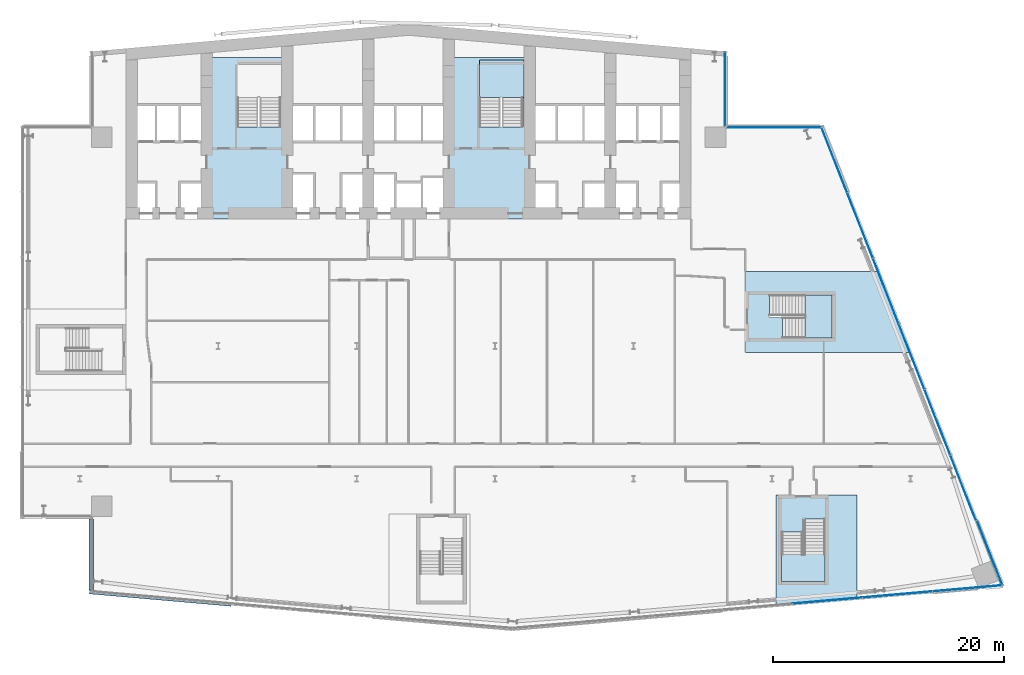
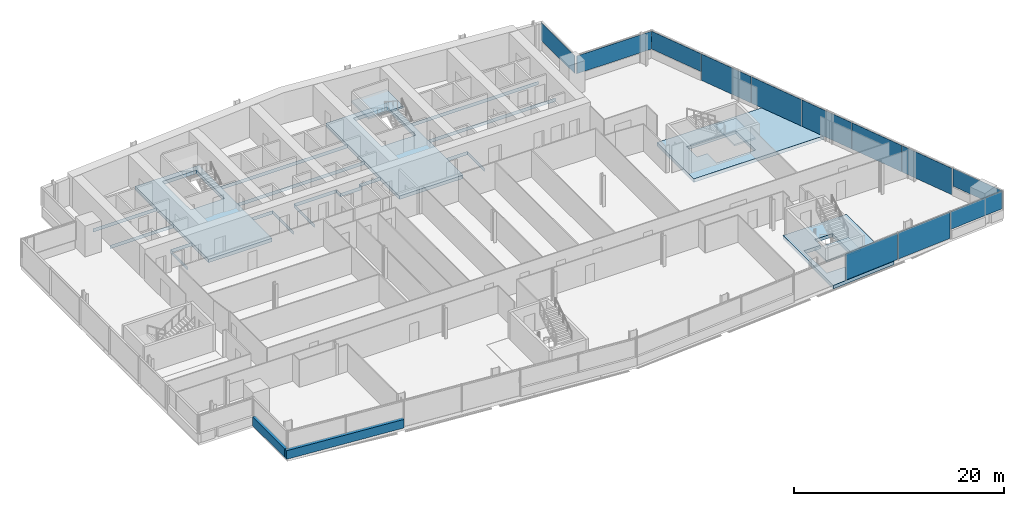
# One storey, part 13 of 25: 12 plates, 6 slabs, 2 walls, 7 elements without a shape of their own.
"""IFC4 building model written with IfcOpenShell, lengths in metres."""

import ifcopenshell
import ifcopenshell.guid

model = None  # the IFC model being written
_history = None  # IfcOwnerHistory: only IFC2X3 demands one
_inside = {}  # id of a spatial element -> (the spatial element, [elements in it])
_under = {}  # id of a project, library or spatial element -> (it, [spatial elements below it])
_declared = {}  # id of a project -> (the project, [libraries it declares])
_typed = {}  # id of a type object -> (the type object, [elements of that type])
_made_of = {}  # id of a material, layer set ... -> (it, [elements and type objects made of it])


def new_model(schema):
    """Start an empty IFC model of exactly this schema.

    Asked for "IFC4X3", IfcOpenShell would pick the latest addendum, in which some entities
    have other attributes; the version numbers below select the first issue.
    IFC2X3 requires an IfcOwnerHistory on every rooted entity: one is made here for all.
    """
    global model, _history
    if schema == "IFC4X3":
        model = ifcopenshell.file(schema_version=(4, 3, 0, 0))
    else:
        model = ifcopenshell.file(schema=schema)
    _inside.clear()
    _under.clear()
    _declared.clear()
    _typed.clear()
    _made_of.clear()
    _history = None
    if model.schema == "IFC2X3":
        org = make("IfcOrganization", Name="unknown")
        user = make(
            "IfcPersonAndOrganization",
            ThePerson=make("IfcPerson", FamilyName="unknown"),
            TheOrganization=org,
        )
        app = make(
            "IfcApplication",
            ApplicationDeveloper=org,
            Version="unknown",
            ApplicationFullName="unknown",
            ApplicationIdentifier="unknown",
        )
        _history = make(
            "IfcOwnerHistory",
            OwningUser=user,
            OwningApplication=app,
            ChangeAction="ADDED",
            CreationDate=0,
        )
    return model


def make(cls, **values):
    """One entity of the class cls with the attributes given. An attribute that is None is left unset."""
    return model.create_entity(
        cls, **{name: value for name, value in values.items() if value is not None}
    )


def rooted(cls, **values):
    """An entity with a GlobalId (a new one), such as an element, a storey or a relation."""
    return make(cls, GlobalId=ifcopenshell.guid.new(), OwnerHistory=_history, **values)


def si_unit(unit_type, name, prefix=None):
    """IfcSIUnit, for example si_unit("LENGTHUNIT", "METRE", prefix="MILLI")."""
    return make("IfcSIUnit", UnitType=unit_type, Prefix=prefix, Name=name)


def assignment(units):
    """IfcUnitAssignment: the units of a project."""
    return None if units is None else make("IfcUnitAssignment", Units=units)


def point(xyz):
    """IfcCartesianPoint."""
    return None if xyz is None else make("IfcCartesianPoint", Coordinates=xyz)


def direction(xyz):
    """IfcDirection."""
    return None if xyz is None else make("IfcDirection", DirectionRatios=xyz)


def frame(location, z_axis=None, x_axis=None):
    """IfcAxis2Placement3D, a coordinate frame: its origin and axes. An axis left out is left unset."""
    return make(
        "IfcAxis2Placement3D",
        Location=point(location),
        Axis=direction(z_axis),
        RefDirection=direction(x_axis),
    )


def frame_2d(location, x_axis=None):
    """IfcAxis2Placement2D, a coordinate frame in the plane: its origin and x axis."""
    return make(
        "IfcAxis2Placement2D", Location=point(location), RefDirection=direction(x_axis)
    )


def origin():
    """The frame at (0, 0, 0) with its axes left unset."""
    return frame((0.0, 0.0, 0.0))


def origin_2d():
    """The frame at (0, 0) in the plane with its x axis left unset."""
    return frame_2d((0.0, 0.0))


def place(relative_to, where):
    """IfcLocalPlacement: puts the frame where relative to a parent placement (None: the world)."""
    return make(
        "IfcLocalPlacement", PlacementRelTo=relative_to, RelativePlacement=where
    )


def context(
    kind, dimensions, precision=None, world=None, true_north=None, identifier=None
):
    """IfcGeometricRepresentationContext, for example the 3D "Model" context."""
    return make(
        "IfcGeometricRepresentationContext",
        ContextIdentifier=identifier,
        ContextType=kind,
        CoordinateSpaceDimension=dimensions,
        Precision=precision,
        WorldCoordinateSystem=world,
        TrueNorth=true_north,
    )


def subcontext(parent, identifier, kind, view, scale=None):
    """IfcGeometricRepresentationSubContext, for example "Body" below "Model"."""
    return make(
        "IfcGeometricRepresentationSubContext",
        ContextIdentifier=identifier,
        ContextType=kind,
        ParentContext=parent,
        TargetScale=scale,
        TargetView=view,
    )


def project(units=None, contexts=None):
    """IfcProject with its units and contexts."""
    return rooted(
        "IfcProject",
        Name="project",
        RepresentationContexts=contexts,
        UnitsInContext=assignment(units),
    )


def spatial(cls, under=None, at=None, **own):
    """A site, building, storey or space (cls), placed at a placement, below another one or the project."""
    s = rooted(cls, ObjectPlacement=at, **own)
    if under is not None:
        _under.setdefault(under.id(), (under, []))[1].append(s)
    return s


def polyline(points):
    """IfcPolyline through the points."""
    return make("IfcPolyline", Points=[point(p) for p in points])


def profile(cls, at=None, kind="AREA", **sizes):
    """A parametric profile (cls). Its sizes go by their IFC names, for example OverallWidth=200.0."""
    return make(cls, ProfileType=kind, Position=at, **sizes)


def rectangle(**sizes):
    """IfcRectangleProfileDef."""
    return profile("IfcRectangleProfileDef", **sizes)


def outline(outer, holes=None, kind="AREA"):
    """IfcArbitraryClosedProfileDef: a profile drawn as a closed curve; with holes, ...WithVoids."""
    if holes is None:
        return make("IfcArbitraryClosedProfileDef", ProfileType=kind, OuterCurve=outer)
    return make(
        "IfcArbitraryProfileDefWithVoids",
        ProfileType=kind,
        OuterCurve=outer,
        InnerCurves=holes,
    )


def extrude(swept, where, along, depth):
    """IfcExtrudedAreaSolid: the profile swept, set in the frame where, extruded along a direction by depth."""
    return make(
        "IfcExtrudedAreaSolid",
        SweptArea=swept,
        Position=where,
        ExtrudedDirection=direction(along),
        Depth=depth,
    )


def shape(context_of_items, identifier, shape_type, items):
    """IfcShapeRepresentation: the items that make up one representation, for example the "Body"."""
    return make(
        "IfcShapeRepresentation",
        ContextOfItems=context_of_items,
        RepresentationIdentifier=identifier,
        RepresentationType=shape_type,
        Items=items,
    )


def material(Name=None, Category=None):
    """IfcMaterial."""
    return make("IfcMaterial", Name=Name, Category=Category)


def layer(
    of_material, thickness, ventilated=None, Name=None, Category=None, Priority=None
):
    """IfcMaterialLayer: one layer of a wall or slab, of a material (None: an air gap)."""
    return make(
        "IfcMaterialLayer",
        Material=of_material,
        LayerThickness=thickness,
        IsVentilated=ventilated,
        Name=Name,
        Category=Category,
        Priority=Priority,
    )


def layer_set(layers, Name=None):
    """IfcMaterialLayerSet."""
    return make("IfcMaterialLayerSet", MaterialLayers=layers, LayerSetName=Name)


def made_of(thing, what):
    """Note that an element or type object is made of a material, layer set ...; save() writes the relation."""
    if what is not None:
        _made_of.setdefault(what.id(), (what, []))[1].append(thing)
    return thing


def type_object(cls, material=None, **own):
    """A type object (cls), such as IfcWallType, which elements share."""
    return made_of(rooted(cls, **own), material)


def element(
    cls,
    number,
    at=None,
    inside=None,
    cuts=None,
    type_object=None,
    material=None,
    context=None,
    identifier="Body",
    shape_type=None,
    held_by="IfcProductDefinitionShape",
    body=None,
    shapes=None,
    **own,
):
    """One element of the class cls, such as IfcWall. Its Tag is "e" and its number.

    at: its placement. inside: the storey or other place that contains it. cuts: it is an
    opening in that element (IfcRelVoidsElement). A single representation is given by context,
    identifier, shape_type and body (its items); several are given by shapes. held_by: the class
    of the entity that holds the representations. save() writes the other relations.
    """
    e = rooted(cls, Tag="e%d" % number, ObjectPlacement=at, **own)
    if body is not None:
        shapes = [shape(context, identifier, shape_type, body)]
    if shapes is not None:
        e.Representation = make(held_by, Representations=shapes)
    if inside is not None:
        _inside.setdefault(inside.id(), (inside, []))[1].append(e)
    if cuts is not None:
        rooted(
            "IfcRelVoidsElement", RelatingBuildingElement=cuts, RelatedOpeningElement=e
        )
    if type_object is not None:
        _typed.setdefault(type_object.id(), (type_object, []))[1].append(e)
    return made_of(e, material)


def aggregate(whole, parts):
    """IfcRelAggregates: a whole, such as a stair, and the parts it consists of."""
    return rooted("IfcRelAggregates", RelatingObject=whole, RelatedObjects=parts)


def save(model, path):
    """Write the relations noted so far, then the file.

    IfcRelAggregates (storeys below a building ...), IfcRelContainedInSpatialStructure (elements
    in a storey), IfcRelDefinesByType, IfcRelAssociatesMaterial and IfcRelDeclares: one each for
    every whole, place, type object, material and project.
    """
    for whole, parts in _under.values():
        aggregate(whole, parts)
    for where, things in _inside.values():
        rooted(
            "IfcRelContainedInSpatialStructure",
            RelatedElements=things,
            RelatingStructure=where,
        )
    for kind, things in _typed.values():
        rooted("IfcRelDefinesByType", RelatedObjects=things, RelatingType=kind)
    for what, things in _made_of.values():
        rooted("IfcRelAssociatesMaterial", RelatedObjects=things, RelatingMaterial=what)
    for by, libraries in _declared.values():
        rooted("IfcRelDeclares", RelatingContext=by, RelatedDefinitions=libraries)
    model.write(path)


model = new_model("IFC4")

# Units and contexts
model_context = context("Model", 3, precision=1e-05, world=origin(), true_north=direction((0.0, 1.0)))
body_context = subcontext(model_context, "Body", "Model", "MODEL_VIEW")
ifc_project = project(units=[si_unit("LENGTHUNIT", "METRE"), si_unit("AREAUNIT", "SQUARE_METRE"), si_unit("VOLUMEUNIT", "CUBIC_METRE"), si_unit("PLANEANGLEUNIT", "RADIAN"), si_unit("MASSUNIT", "GRAM", prefix="KILO")], contexts=[model_context])

# Site, building, storey
site_placement = place(None, origin())
site = spatial("IfcSite", under=ifc_project, at=site_placement, CompositionType="ELEMENT")
building_placement = place(site_placement, origin())
building = spatial("IfcBuilding", under=site, at=building_placement, Name="Wharfspan Tower", CompositionType="ELEMENT")
storey_placement = place(building_placement, frame((0.0, 0.0, 143.5)))
storey = spatial("IfcBuildingStorey", under=building, at=storey_placement, Name="L34", CompositionType="ELEMENT", Elevation=143.5)

# Curtain wall, plate
ifc_material_1 = material(Name="Aluminium 6063-T6", Category="aluminium")
curtain_wall_type_1 = type_object("IfcCurtainWallType", Name="CURTAIN WALL FACETED FRONT", PredefinedType="NOTDEFINED", material=ifc_material_1)
curtain_wall_1_placement = place(storey_placement, origin())
curtain_wall_1 = element("IfcCurtainWall", 1, at=curtain_wall_1_placement, inside=storey, type_object=curtain_wall_type_1, Name="Curtain wall S2", PredefinedType="NOTDEFINED")
ifc_material_2 = material(Name="Glass clear low-iron double glazing", Category="glass")
ifc_layer_1 = layer(ifc_material_2, 0.040039)
ifc_layer_set_1 = layer_set([ifc_layer_1], Name="Glass clear low-iron double glazing")
plate_type_1 = type_object("IfcPlateType", Name="GLASS PANEL FACETED FRONT 40", PredefinedType="CURTAIN_PANEL", material=ifc_layer_set_1)
plate_1_placement = place(storey_placement, frame((88.944092, 1.99292, 1.0), z_axis=(0.0, 0.0, 1.0), x_axis=(0.996198, 0.087156, 0.0)))
plate_1 = element("IfcPlate", 2, at=plate_1_placement, type_object=plate_type_1, Name="Curtain wall S2 panel 7", PredefinedType="CURTAIN_PANEL", context=body_context, shape_type="SweptSolid", body=[
    extrude(rectangle(XDim=6.004639, YDim=0.040039, at=origin_2d()), origin(), (0.0, 0.0, 1.0), 2.070068),
])

# Curtain wall, plates
curtain_wall_type_2 = type_object("IfcCurtainWallType", Name="CURTAIN WALL PROW AND END", PredefinedType="NOTDEFINED", material=ifc_material_1)
curtain_wall_2_placement = place(storey_placement, origin())
curtain_wall_2 = element("IfcCurtainWall", 3, at=curtain_wall_2_placement, inside=storey, type_object=curtain_wall_type_2, Name="Curtain wall E", PredefinedType="NOTDEFINED")
ifc_layer_2 = layer(ifc_material_2, 0.040039)
ifc_layer_set_2 = layer_set([ifc_layer_2], Name="Glass clear low-iron double glazing")
plate_type_2 = type_object("IfcPlateType", Name="GLASS PANEL PROW AND END 40", PredefinedType="CURTAIN_PANEL", material=ifc_layer_set_2)
plate_2_placement = place(storey_placement, frame((90.877197, 5.056885, 1.0), z_axis=(0.0, 0.0, 1.0), x_axis=(-0.365778, 0.930702, 0.0)))
plate_2 = element("IfcPlate", 4, at=plate_2_placement, type_object=plate_type_2, Name="Curtain wall E panel 1", PredefinedType="CURTAIN_PANEL", context=body_context, shape_type="SweptSolid", body=[
    extrude(rectangle(XDim=6.019043, YDim=0.040039, at=origin_2d()), origin(), (0.0, 0.0, 1.0), 2.070068),
])
plate_3_placement = place(storey_placement, frame((77.406494, 39.114014, 1.0), z_axis=(0.0, 0.0, 1.0), x_axis=(-0.365778, 0.930702, 0.0)))
plate_3 = element("IfcPlate", 5, at=plate_3_placement, type_object=plate_type_2, Name="Curtain wall E panel 7", PredefinedType="CURTAIN_PANEL", context=body_context, shape_type="SweptSolid", body=[
    extrude(rectangle(XDim=6.019043, YDim=0.040039, at=origin_2d()), origin(), (0.0, 0.0, 1.0), 2.070068),
])

# Curtain wall, plate
curtain_wall_3_placement = place(storey_placement, origin())
curtain_wall_3 = element("IfcCurtainWall", 6, at=curtain_wall_3_placement, inside=storey, type_object=curtain_wall_type_2, Name="Curtain wall NRE-H", PredefinedType="NOTDEFINED")
plate_4_placement = place(storey_placement, frame((72.178955, 41.919922, 1.0), z_axis=(0.0, 0.0, 1.0), x_axis=(-1.0, 0.0, 0.0)))
plate_4 = element("IfcPlate", 7, at=plate_4_placement, type_object=plate_type_2, Name="Curtain wall NRE-H panel 1", PredefinedType="CURTAIN_PANEL", context=body_context, shape_type="SweptSolid", body=[
    extrude(rectangle(XDim=8.238037, YDim=0.040039, at=origin_2d()), origin(), (0.0, 0.0, 1.0), 2.070068),
])
aggregate(curtain_wall_3, [plate_4])

curtain_wall_4_placement = place(storey_placement, origin())
curtain_wall_4 = element("IfcCurtainWall", 8, at=curtain_wall_4_placement, inside=storey, type_object=curtain_wall_type_2, Name="Curtain wall NRE-V", PredefinedType="NOTDEFINED")
plate_5_placement = place(storey_placement, frame((67.919922, 45.262451, 1.0), z_axis=(0.0, 0.0, 1.0), x_axis=(0.0, 1.0, 0.0)))
plate_5 = element("IfcPlate", 9, at=plate_5_placement, type_object=plate_type_2, Name="Curtain wall NRE-V panel 1", PredefinedType="CURTAIN_PANEL", context=body_context, shape_type="SweptSolid", body=[
    extrude(rectangle(XDim=6.405029, YDim=0.040039, at=origin_2d()), origin(), (0.0, 0.0, 1.0), 2.070068),
])
aggregate(curtain_wall_4, [plate_5])

# Plate
ifc_material_3 = material(Name="Aluminium composite opaque insulated panel", Category="aluminium")
ifc_layer_3 = layer(ifc_material_3, 0.040039)
ifc_layer_set_3 = layer_set([ifc_layer_3], Name="Aluminium composite opaque insulated panel")
plate_type_3 = type_object("IfcPlateType", Name="INFILL PANEL FACETED FRONT OPAQUE 40", PredefinedType="SHEET", material=ifc_layer_set_3)
plate_6_placement = place(storey_placement, frame((76.816162, 0.931885, 0.0), z_axis=(0.0, 0.0, 1.0), x_axis=(0.996198, 0.087156, 0.0)))
plate_6 = element("IfcPlate", 10, at=plate_6_placement, type_object=plate_type_3, Name="Curtain wall S2 panel 5", PredefinedType="SHEET", context=body_context, shape_type="SweptSolid", body=[
    extrude(rectangle(XDim=6.034668, YDim=0.040039, at=origin_2d()), origin(), (0.0, 0.0, 1.0), 3.070068),
])

plate_7_placement = place(storey_placement, frame((82.887695, 1.462891, 0.0), z_axis=(0.0, 0.0, 1.0), x_axis=(0.996198, 0.087156, 0.0)))
plate_7 = element("IfcPlate", 11, at=plate_7_placement, type_object=plate_type_3, Name="Curtain wall S2 panel 6", PredefinedType="SHEET", context=body_context, shape_type="SweptSolid", body=[
    extrude(rectangle(XDim=6.034668, YDim=0.040039, at=origin_2d()), origin(), (0.0, 0.0, 1.0), 3.070068),
])

aggregate(curtain_wall_1, [plate_6, plate_7, plate_1])

ifc_layer_4 = layer(ifc_material_3, 0.040039)
ifc_layer_set_4 = layer_set([ifc_layer_4], Name="Aluminium composite opaque insulated panel")
plate_type_4 = type_object("IfcPlateType", Name="INFILL PANEL PROW AND END OPAQUE 40", PredefinedType="SHEET", material=ifc_layer_set_4)
plate_8_placement = place(storey_placement, frame((88.57373, 10.699219, 0.0), z_axis=(0.0, 0.0, 1.0), x_axis=(-0.365778, 0.930702, 0.0)))
plate_8 = element("IfcPlate", 12, at=plate_8_placement, type_object=plate_type_4, Name="Curtain wall E panel 2", PredefinedType="SHEET", context=body_context, shape_type="SweptSolid", body=[
    extrude(rectangle(XDim=6.049072, YDim=0.040039, at=origin_2d()), origin(), (0.0, 0.0, 1.0), 3.070068),
])

plate_9_placement = place(storey_placement, frame((86.339111, 16.38501, 0.0), z_axis=(0.0, 0.0, 1.0), x_axis=(-0.365778, 0.930702, 0.0)))
plate_9 = element("IfcPlate", 13, at=plate_9_placement, type_object=plate_type_4, Name="Curtain wall E panel 3", PredefinedType="SHEET", context=body_context, shape_type="SweptSolid", body=[
    extrude(rectangle(XDim=6.049072, YDim=0.040039, at=origin_2d()), origin(), (0.0, 0.0, 1.0), 3.070068),
])

plate_10_placement = place(storey_placement, frame((84.104492, 22.070801, 0.0), z_axis=(0.0, 0.0, 1.0), x_axis=(-0.365778, 0.930702, 0.0)))
plate_10 = element("IfcPlate", 14, at=plate_10_placement, type_object=plate_type_4, Name="Curtain wall E panel 4", PredefinedType="SHEET", context=body_context, shape_type="SweptSolid", body=[
    extrude(rectangle(XDim=6.049072, YDim=0.040039, at=origin_2d()), origin(), (0.0, 0.0, 1.0), 3.070068),
])

plate_11_placement = place(storey_placement, frame((81.870117, 27.756348, 0.0), z_axis=(0.0, 0.0, 1.0), x_axis=(-0.365778, 0.930702, 0.0)))
plate_11 = element("IfcPlate", 15, at=plate_11_placement, type_object=plate_type_4, Name="Curtain wall E panel 5", PredefinedType="SHEET", context=body_context, shape_type="SweptSolid", body=[
    extrude(rectangle(XDim=6.049072, YDim=0.040039, at=origin_2d()), origin(), (0.0, 0.0, 1.0), 3.070068),
])

plate_12_placement = place(storey_placement, frame((79.635498, 33.442139, 0.0), z_axis=(0.0, 0.0, 1.0), x_axis=(-0.365778, 0.930702, 0.0)))
plate_12 = element("IfcPlate", 16, at=plate_12_placement, type_object=plate_type_4, Name="Curtain wall E panel 6", PredefinedType="SHEET", context=body_context, shape_type="SweptSolid", body=[
    extrude(rectangle(XDim=6.049072, YDim=0.040039, at=origin_2d()), origin(), (0.0, 0.0, 1.0), 3.070068),
])

aggregate(curtain_wall_2, [plate_2, plate_8, plate_9, plate_10, plate_11, plate_12, plate_3])

# Slabs
ifc_material_4 = material(Name="Concrete C40/50", Category="concrete")
ifc_layer_5 = layer(ifc_material_4, 0.399902)
ifc_layer_set_5 = layer_set([ifc_layer_5], Name="Concrete C40/50")
slab_type_1 = type_object("IfcSlabType", Name="Post-tensioned flat slab 400", PredefinedType="FLOOR", material=ifc_layer_set_5)
slab_1_placement = place(storey_placement, frame((0.0, 0.0, -0.400146)))
element("IfcSlab", 17, at=slab_1_placement, inside=storey, type_object=slab_type_1, Name="Core floor slab L34 part 2", PredefinedType="FLOOR", context=body_context, shape_type="SweptSolid", body=[
    extrude(outline(polyline([(20.664795, 34.0), (20.664795, 37.199951), (20.664795, 37.200195), (20.664795, 37.200439), (20.664795, 37.200684), (20.664795, 37.200684), (20.664795, 37.200928), (20.665039, 37.201172), (20.665039, 37.201416), (20.665283, 37.201416), (20.665283, 37.201416), (20.665527, 37.20166), (20.665771, 37.201904), (20.666016, 37.201904), (20.666016, 37.201904), (20.66626, 37.201904), (20.666504, 37.201904), (20.666748, 37.201904), (23.0, 37.201904), (23.000244, 37.201904), (23.000488, 37.201904), (23.000488, 37.201904), (23.000732, 37.201904), (23.000977, 37.201904), (23.001221, 37.20166), (23.001221, 37.201416), (23.001465, 37.201416), (23.001465, 37.201416), (23.001709, 37.201172), (23.001709, 37.200928), (23.001709, 37.200684), (23.001953, 37.200684), (23.001953, 37.200439), (23.001953, 37.200195), (23.001953, 37.199951), (23.001953, 34.0), (29.998047, 34.0), (29.998047, 37.949951), (29.998047, 37.950195), (29.998047, 37.950439), (29.998047, 37.950684), (29.998291, 37.950684), (29.998291, 37.950928), (29.998291, 37.951172), (29.998535, 37.951416), (29.998535, 37.951416), (29.998779, 37.951416), (29.998779, 37.95166), (29.999023, 37.951904), (29.999268, 37.951904), (29.999512, 37.951904), (29.999512, 37.951904), (29.999756, 37.951904), (30.0, 37.951904), (32.333252, 37.951904), (32.333496, 37.951904), (32.33374, 37.951904), (32.333984, 37.951904), (32.333984, 37.951904), (32.334229, 37.951904), (32.334473, 37.95166), (32.334717, 37.951416), (32.334717, 37.951416), (32.334961, 37.951416), (32.334961, 37.951172), (32.335205, 37.950928), (32.335205, 37.950684), (32.335205, 37.950684), (32.335205, 37.950439), (32.335205, 37.950195), (32.335205, 37.949951), (32.335205, 34.0), (32.341309, 34.0), (32.341309, 37.958008), (30.01001, 37.958008), (30.009766, 37.958008), (30.009521, 37.958008), (30.009521, 37.958008), (30.009277, 37.958252), (30.009033, 37.958252), (30.008789, 37.958252), (30.008789, 37.958496), (30.008545, 37.958496), (30.008545, 37.95874), (30.008301, 37.958984), (30.008301, 37.958984), (30.008301, 37.959229), (30.008057, 37.959473), (30.008057, 37.959717), (30.008057, 37.959717), (30.008057, 37.959961), (30.008057, 40.689941), (30.008057, 40.690186), (30.008057, 40.69043), (30.008057, 40.690674), (30.008301, 40.690918), (30.008301, 40.690918), (30.008301, 40.691162), (30.008545, 40.691406), (30.008545, 40.691406), (30.008789, 40.691406), (30.008789, 40.69165), (30.009033, 40.691895), (30.009277, 40.691895), (30.009521, 40.691895), (30.009521, 40.691895), (30.009766, 40.691895), (30.01001, 40.691895), (43.98999, 40.691895), (43.990234, 40.691895), (43.990479, 40.691895), (43.990479, 40.691895), (43.990723, 40.691895), (43.990967, 40.691895), (43.991211, 40.69165), (43.991211, 40.691406), (43.991455, 40.691406), (43.991455, 40.691406), (43.991699, 40.691162), (43.991699, 40.690918), (43.991699, 40.690918), (43.991943, 40.690674), (43.991943, 40.69043), (43.991943, 40.690186), (43.991943, 40.689941), (43.991943, 37.659912), (43.991943, 37.659912), (43.991943, 37.659668), (43.991943, 37.659424), (43.991699, 37.65918), (43.991699, 37.65918), (43.991699, 37.658936), (43.991455, 37.658691), (43.991455, 37.658691), (43.991211, 37.658447), (43.991211, 37.658203), (43.990967, 37.658203), (43.990723, 37.658203), (43.990479, 37.658203), (43.990479, 37.657959), (43.990234, 37.657959), (43.98999, 37.657959), (41.658691, 37.657959), (41.658691, 37.209961), (41.658691, 37.209717), (41.658691, 37.209717), (41.658691, 37.209473), (41.658447, 37.209229), (41.658447, 37.208984), (41.658447, 37.208984), (41.658203, 37.20874), (41.658203, 37.208496), (41.657959, 37.208496), (41.657715, 37.208252), (41.657715, 37.208252), (41.657471, 37.208252), (41.657227, 37.208008), (41.656982, 37.208008), (41.656982, 37.208008), (41.656738, 37.208008), (39.343262, 37.208008), (39.343018, 37.208008), (39.343018, 37.208008), (39.342773, 37.208008), (39.342529, 37.208252), (39.342285, 37.208252), (39.342285, 37.208252), (39.342041, 37.208496), (39.341797, 37.208496), (39.341797, 37.20874), (39.341553, 37.208984), (39.341553, 37.208984), (39.341553, 37.209229), (39.341309, 37.209473), (39.341309, 37.209717), (39.341309, 37.209717), (39.341309, 37.209961), (39.341309, 37.958008), (34.658691, 37.958008), (34.658691, 34.0), (34.664795, 34.0), (34.664795, 37.949951), (34.664795, 37.950195), (34.664795, 37.950439), (34.664795, 37.950684), (34.664795, 37.950684), (34.664795, 37.950928), (34.665039, 37.951172), (34.665039, 37.951416), (34.665283, 37.951416), (34.665283, 37.951416), (34.665527, 37.95166), (34.665771, 37.951904), (34.666016, 37.951904), (34.666016, 37.951904), (34.66626, 37.951904), (34.666504, 37.951904), (34.666748, 37.951904), (39.333252, 37.951904), (39.333496, 37.951904), (39.33374, 37.951904), (39.333984, 37.951904), (39.333984, 37.951904), (39.334229, 37.951904), (39.334473, 37.95166), (39.334717, 37.951416), (39.334717, 37.951416), (39.334961, 37.951416), (39.334961, 37.951172), (39.335205, 37.950928), (39.335205, 37.950684), (39.335205, 37.950684), (39.335205, 37.950439), (39.335205, 37.950195), (39.335205, 37.949951), (39.335205, 37.201904), (41.664795, 37.201904), (41.664795, 37.649902), (41.664795, 37.650146), (41.664795, 37.650391), (41.664795, 37.650635), (41.664795, 37.650879), (41.664795, 37.650879), (41.665039, 37.651123), (41.665039, 37.651367), (41.665283, 37.651367), (41.665283, 37.651611), (41.665527, 37.651611), (41.665771, 37.651855), (41.666016, 37.651855), (41.666016, 37.651855), (41.66626, 37.6521), (41.666504, 37.6521), (41.666748, 37.6521), (44.0, 37.6521), (44.000244, 37.6521), (44.000488, 37.6521), (44.000488, 37.651855), (44.000732, 37.651855), (44.000977, 37.651855), (44.001221, 37.651611), (44.001221, 37.651611), (44.001465, 37.651367), (44.001465, 37.651367), (44.001709, 37.651123), (44.001709, 37.650879), (44.001709, 37.650879), (44.001953, 37.650635), (44.001953, 37.650391), (44.001953, 37.650146), (44.001953, 37.649902), (44.001953, 34.0), (50.998047, 34.0), (50.998047, 37.199951), (50.998047, 37.200195), (50.998047, 37.200439), (50.998047, 37.200684), (50.998291, 37.200684), (50.998291, 37.200928), (50.998291, 37.201172), (50.998535, 37.201416), (50.998535, 37.201416), (50.998779, 37.201416), (50.998779, 37.20166), (50.999023, 37.201904), (50.999268, 37.201904), (50.999512, 37.201904), (50.999512, 37.201904), (50.999756, 37.201904), (51.0, 37.201904), (53.333252, 37.201904), (53.333496, 37.201904), (53.33374, 37.201904), (53.333984, 37.201904), (53.333984, 37.201904), (53.334229, 37.201904), (53.334473, 37.20166), (53.334717, 37.201416), (53.334717, 37.201416), (53.334961, 37.201416), (53.334961, 37.201172), (53.335205, 37.200928), (53.335205, 37.200684), (53.335205, 37.200684), (53.335205, 37.200439), (53.335205, 37.200195), (53.335205, 37.199951), (53.335205, 34.0), (53.341309, 34.0), (53.341309, 37.208008), (51.01001, 37.208008), (51.009766, 37.208008), (51.009521, 37.208008), (51.009521, 37.208008), (51.009277, 37.208252), (51.009033, 37.208252), (51.008789, 37.208252), (51.008789, 37.208496), (51.008545, 37.208496), (51.008545, 37.20874), (51.008301, 37.208984), (51.008301, 37.208984), (51.008301, 37.209229), (51.008057, 37.209473), (51.008057, 37.209717), (51.008057, 37.209717), (51.008057, 37.209961), (51.008057, 40.689941), (51.008057, 40.690186), (51.008057, 40.69043), (51.008057, 40.690674), (51.008301, 40.690918), (51.008301, 40.690918), (51.008301, 40.691162), (51.008545, 40.691406), (51.008545, 40.691406), (51.008789, 40.691406), (51.008789, 40.69165), (51.009033, 40.691895), (51.009277, 40.691895), (51.009521, 40.691895), (51.009521, 40.691895), (51.009766, 40.691895), (51.01001, 40.691895), (65.0, 40.691895), (65.0, 40.697998), (51.0, 40.697998), (50.999756, 40.697998), (50.999512, 40.697998), (50.999512, 40.697998), (50.999268, 40.698242), (50.999023, 40.698242), (50.998779, 40.698242), (50.998779, 40.698486), (50.998535, 40.698486), (50.998535, 40.69873), (50.998291, 40.698975), (50.998291, 40.699219), (50.998291, 40.699219), (50.998047, 40.699463), (50.998047, 40.699707), (50.998047, 40.699707), (50.998047, 40.699951), (50.998047, 43.899902), (50.998047, 43.900146), (50.998047, 43.900391), (50.998047, 43.900635), (50.998291, 43.900879), (50.998291, 43.900879), (50.998291, 43.901123), (50.998535, 43.901367), (50.998535, 43.901367), (50.998779, 43.901611), (50.998779, 43.901611), (50.999023, 43.901855), (50.999268, 43.901855), (50.999512, 43.901855), (50.999512, 43.9021), (50.999756, 43.9021), (51.0, 43.9021), (65.0, 43.9021), (65.0, 43.907959), (51.01001, 43.907959), (51.009766, 43.907959), (51.009521, 43.907959), (51.009521, 43.908203), (51.009277, 43.908203), (51.009033, 43.908203), (51.008789, 43.908203), (51.008789, 43.908447), (51.008545, 43.908691), (51.008545, 43.908691), (51.008301, 43.908936), (51.008301, 43.90918), (51.008301, 43.90918), (51.008057, 43.909424), (51.008057, 43.909668), (51.008057, 43.909912), (51.008057, 43.909912), (51.008057, 48.008057), (43.991943, 48.008057), (43.991943, 43.909912), (43.991943, 43.909912), (43.991943, 43.909668), (43.991943, 43.909424), (43.991699, 43.90918), (43.991699, 43.90918), (43.991699, 43.908936), (43.991455, 43.908691), (43.991455, 43.908691), (43.991211, 43.908447), (43.991211, 43.908203), (43.990967, 43.908203), (43.990723, 43.908203), (43.990479, 43.908203), (43.990479, 43.907959), (43.990234, 43.907959), (43.98999, 43.907959), (30.01001, 43.907959), (30.009766, 43.907959), (30.009521, 43.907959), (30.009521, 43.908203), (30.009277, 43.908203), (30.009033, 43.908203), (30.008789, 43.908203), (30.008789, 43.908447), (30.008545, 43.908691), (30.008545, 43.908691), (30.008301, 43.908936), (30.008301, 43.90918), (30.008301, 43.90918), (30.008057, 43.909424), (30.008057, 43.909668), (30.008057, 43.909912), (30.008057, 43.909912), (30.008057, 48.008057), (22.991943, 48.008057), (22.991943, 43.909912), (22.991943, 43.909912), (22.991943, 43.909668), (22.991943, 43.909424), (22.991699, 43.90918), (22.991699, 43.90918), (22.991699, 43.908936), (22.991455, 43.908691), (22.991455, 43.908691), (22.991211, 43.908447), (22.991211, 43.908203), (22.990967, 43.908203), (22.990723, 43.908203), (22.990479, 43.908203), (22.990479, 43.907959), (22.990234, 43.907959), (22.98999, 43.907959), (16.0, 43.907959), (16.0, 43.9021), (20.666748, 43.9021), (20.666748, 43.9021), (23.0, 43.9021), (23.000244, 43.9021), (23.000488, 43.9021), (23.000488, 43.901855), (23.000732, 43.901855), (23.000977, 43.901855), (23.001221, 43.901611), (23.001221, 43.901611), (23.001465, 43.901367), (23.001465, 43.901367), (23.001709, 43.901123), (23.001709, 43.900879), (23.001709, 43.900879), (23.001953, 43.900635), (23.001953, 43.900391), (23.001953, 43.900146), (23.001953, 43.899902), (23.001953, 40.699951), (23.001953, 40.699707), (23.001953, 40.699707), (23.001953, 40.699463), (23.001709, 40.699219), (23.001709, 40.699219), (23.001709, 40.698975), (23.001465, 40.69873), (23.001465, 40.698486), (23.001221, 40.698486), (23.001221, 40.698242), (23.000977, 40.698242), (23.000732, 40.698242), (23.000488, 40.697998), (23.000488, 40.697998), (23.000244, 40.697998), (23.0, 40.697998), (20.666748, 40.697998), (20.666748, 40.697998), (16.0, 40.697998), (16.0, 40.691895), (22.98999, 40.691895), (22.990234, 40.691895), (22.990479, 40.691895), (22.990479, 40.691895), (22.990723, 40.691895), (22.990967, 40.691895), (22.991211, 40.69165), (22.991211, 40.691406), (22.991455, 40.691406), (22.991455, 40.691406), (22.991699, 40.691162), (22.991699, 40.690918), (22.991699, 40.690918), (22.991943, 40.690674), (22.991943, 40.69043), (22.991943, 40.690186), (22.991943, 40.689941), (22.991943, 37.209961), (22.991943, 37.209717), (22.991943, 37.209717), (22.991943, 37.209473), (22.991699, 37.209229), (22.991699, 37.208984), (22.991699, 37.208984), (22.991455, 37.20874), (22.991455, 37.208496), (22.991211, 37.208496), (22.991211, 37.208252), (22.990967, 37.208252), (22.990723, 37.208252), (22.990479, 37.208008), (22.990479, 37.208008), (22.990234, 37.208008), (22.98999, 37.208008), (20.658691, 37.208008), (20.658691, 34.0), (20.664795, 34.0)]), holes=[polyline([(46.647949, 47.399902), (46.647949, 47.400146), (46.647949, 47.400391), (46.648193, 47.400635), (46.648193, 47.400879), (46.648193, 47.400879), (46.648193, 47.401123), (46.648438, 47.401367), (46.648682, 47.401367), (46.648682, 47.401611), (46.648926, 47.401611), (46.64917, 47.401855), (46.64917, 47.401855), (46.649414, 47.401855), (46.649658, 47.4021), (46.649902, 47.4021), (46.649902, 47.4021), (50.399902, 47.4021), (50.400146, 47.4021), (50.400391, 47.4021), (50.400635, 47.401855), (50.400879, 47.401855), (50.400879, 47.401855), (50.401123, 47.401611), (50.401367, 47.401611), (50.401367, 47.401367), (50.401611, 47.401367), (50.401611, 47.401123), (50.401855, 47.400879), (50.401855, 47.400879), (50.401855, 47.400635), (50.4021, 47.400391), (50.4021, 47.400146), (50.4021, 47.399902), (50.4021, 42.0), (50.4021, 41.999756), (50.4021, 41.999512), (50.401855, 41.999512), (50.401855, 41.999268), (50.401855, 41.999023), (50.401611, 41.998779), (50.401611, 41.998779), (50.401367, 41.998535), (50.401367, 41.998535), (50.401123, 41.998291), (50.400879, 41.998291), (50.400879, 41.998291), (50.400635, 41.998047), (50.400391, 41.998047), (50.400146, 41.998047), (50.399902, 41.998047), (46.649902, 41.998047), (46.649902, 41.998047), (46.649658, 41.998047), (46.649414, 41.998047), (46.64917, 41.998291), (46.64917, 41.998291), (46.648926, 41.998291), (46.648682, 41.998535), (46.648682, 41.998535), (46.648438, 41.998779), (46.648193, 41.998779), (46.648193, 41.999023), (46.648193, 41.999268), (46.648193, 41.999512), (46.647949, 41.999512), (46.647949, 41.999756), (46.647949, 42.0), (46.647949, 47.399902)]), polyline([(44.0, 43.9021), (44.000244, 43.9021), (44.000488, 43.9021), (44.000488, 43.901855), (44.000732, 43.901855), (44.000977, 43.901855), (44.001221, 43.901611), (44.001221, 43.901611), (44.001465, 43.901367), (44.001465, 43.901367), (44.001709, 43.901123), (44.001709, 43.900879), (44.001709, 43.900879), (44.001953, 43.900635), (44.001953, 43.900391), (44.001953, 43.900146), (44.001953, 43.899902), (44.001953, 40.699951), (44.001953, 40.699707), (44.001953, 40.699707), (44.001953, 40.699463), (44.001709, 40.699219), (44.001709, 40.699219), (44.001709, 40.698975), (44.001465, 40.69873), (44.001465, 40.698486), (44.001221, 40.698486), (44.001221, 40.698242), (44.000977, 40.698242), (44.000732, 40.698242), (44.000488, 40.697998), (44.000488, 40.697998), (44.000244, 40.697998), (44.0, 40.697998), (30.0, 40.697998), (29.999756, 40.697998), (29.999512, 40.697998), (29.999512, 40.697998), (29.999268, 40.698242), (29.999023, 40.698242), (29.998779, 40.698242), (29.998779, 40.698486), (29.998535, 40.698486), (29.998535, 40.69873), (29.998291, 40.698975), (29.998291, 40.699219), (29.998291, 40.699219), (29.998047, 40.699463), (29.998047, 40.699707), (29.998047, 40.699707), (29.998047, 40.699951), (29.998047, 43.899902), (29.998047, 43.900146), (29.998047, 43.900391), (29.998047, 43.900635), (29.998291, 43.900879), (29.998291, 43.900879), (29.998291, 43.901123), (29.998535, 43.901367), (29.998535, 43.901367), (29.998779, 43.901611), (29.998779, 43.901611), (29.999023, 43.901855), (29.999268, 43.901855), (29.999512, 43.901855), (29.999512, 43.9021), (29.999756, 43.9021), (30.0, 43.9021), (44.0, 43.9021)]), polyline([(25.649902, 41.998047), (25.649902, 41.998047), (25.649658, 41.998047), (25.649414, 41.998047), (25.64917, 41.998291), (25.64917, 41.998291), (25.648926, 41.998291), (25.648682, 41.998535), (25.648682, 41.998535), (25.648438, 41.998779), (25.648193, 41.998779), (25.648193, 41.999023), (25.648193, 41.999268), (25.648193, 41.999512), (25.647949, 41.999512), (25.647949, 41.999756), (25.647949, 42.0), (25.647949, 47.399902), (25.647949, 47.400146), (25.647949, 47.400391), (25.648193, 47.400635), (25.648193, 47.400879), (25.648193, 47.400879), (25.648193, 47.401123), (25.648438, 47.401367), (25.648682, 47.401367), (25.648682, 47.401611), (25.648926, 47.401611), (25.64917, 47.401855), (25.64917, 47.401855), (25.649414, 47.401855), (25.649658, 47.4021), (25.649902, 47.4021), (25.649902, 47.4021), (29.399902, 47.4021), (29.400146, 47.4021), (29.400391, 47.4021), (29.400635, 47.401855), (29.400879, 47.401855), (29.400879, 47.401855), (29.401123, 47.401611), (29.401367, 47.401611), (29.401367, 47.401367), (29.401611, 47.401367), (29.401611, 47.401123), (29.401855, 47.400879), (29.401855, 47.400879), (29.401855, 47.400635), (29.4021, 47.400391), (29.4021, 47.400146), (29.4021, 47.399902), (29.4021, 42.0), (29.4021, 41.999756), (29.4021, 41.999512), (29.401855, 41.999512), (29.401855, 41.999268), (29.401855, 41.999023), (29.401611, 41.998779), (29.401611, 41.998779), (29.401367, 41.998535), (29.401367, 41.998535), (29.401123, 41.998291), (29.400879, 41.998291), (29.400879, 41.998291), (29.400635, 41.998047), (29.400391, 41.998047), (29.400146, 41.998047), (29.399902, 41.998047), (25.649902, 41.998047)])]), origin(), (0.0, 0.0, 1.0), 0.400146),
])
slab_2_placement = place(storey_placement, frame((0.0, 0.0, -0.400146)))
element("IfcSlab", 18, at=slab_2_placement, inside=storey, type_object=slab_type_1, Name="Core floor slab L34 part 4", PredefinedType="FLOOR", context=body_context, shape_type="SweptSolid", body=[
    extrude(outline(polyline([(79.365967, 10.094727), (76.891113, 10.094727), (72.541016, 10.094727), (72.365967, 10.094727), (72.365967, 0.482178), (79.365967, 1.094727), (79.365967, 10.094727)]), holes=[polyline([(76.591309, 7.996582), (76.591309, 7.996582), (76.591553, 7.996582), (76.591797, 7.996582), (76.591797, 7.996338), (76.592041, 7.996338), (76.592285, 7.996094), (76.592285, 7.996094), (76.592529, 7.99585), (76.592773, 7.99585), (76.592773, 7.995605), (76.593018, 7.995361), (76.593018, 7.995117), (76.593018, 7.995117), (76.593018, 7.994873), (76.593018, 7.994629), (76.593018, 2.594727), (76.593018, 2.594482), (76.593018, 2.594238), (76.593018, 2.593994), (76.593018, 2.593994), (76.592773, 2.59375), (76.592773, 2.593506), (76.592529, 2.593506), (76.592285, 2.593262), (76.592285, 2.593018), (76.592041, 2.593018), (76.591797, 2.593018), (76.591797, 2.592773), (76.591553, 2.592773), (76.591309, 2.592773), (76.591309, 2.592773), (76.591064, 2.592773), (72.841064, 2.592773), (72.84082, 2.592773), (72.840576, 2.592773), (72.840332, 2.592773), (72.840088, 2.592773), (72.840088, 2.593018), (72.839844, 2.593018), (72.8396, 2.593018), (72.8396, 2.593262), (72.8396, 2.593506), (72.839355, 2.593506), (72.839111, 2.59375), (72.839111, 2.593994), (72.839111, 2.593994), (72.839111, 2.594238), (72.839111, 2.594482), (72.839111, 2.594727), (72.839111, 7.994629), (72.839111, 7.994873), (72.839111, 7.995117), (72.839111, 7.995117), (72.839111, 7.995361), (72.839111, 7.995605), (72.839355, 7.99585), (72.8396, 7.99585), (72.8396, 7.996094), (72.8396, 7.996094), (72.839844, 7.996338), (72.840088, 7.996338), (72.840088, 6.873779), (74.64209, 6.873779), (74.64209, 7.996582), (76.591064, 7.996582), (76.591309, 7.996582)])]), origin(), (0.0, 0.0, 1.0), 0.400146),
])
slab_3_placement = place(storey_placement, frame((0.0, 0.0, -0.400146)))
element("IfcSlab", 19, at=slab_3_placement, inside=storey, type_object=slab_type_1, Name="Core floor slab L34 part 5", PredefinedType="FLOOR", context=body_context, shape_type="SweptSolid", body=[
    extrude(outline(polyline([(81.290283, 29.449951), (69.69043, 29.449951), (69.69043, 27.725098), (69.69043, 23.375), (69.69043, 22.449951), (84.041504, 22.449951), (81.290283, 29.449951)]), holes=[polyline([(71.78833, 27.425293), (71.78833, 27.425293), (71.788574, 27.425537), (71.788574, 27.425781), (71.788574, 27.425781), (71.788818, 27.426025), (71.788818, 27.42627), (71.789062, 27.426514), (71.789062, 27.426514), (71.789307, 27.426758), (71.789551, 27.426758), (71.789551, 27.426758), (71.789795, 27.427002), (71.790039, 27.427002), (71.790283, 27.427002), (71.790283, 27.427002), (77.19043, 27.427002), (77.190674, 27.427002), (77.190918, 27.427002), (77.190918, 27.427002), (77.191162, 27.426758), (77.191406, 27.426758), (77.191406, 27.426758), (77.19165, 27.426514), (77.191895, 27.426514), (77.191895, 27.42627), (77.192139, 27.426025), (77.192139, 27.425781), (77.192139, 27.425781), (77.192383, 27.425537), (77.192383, 27.425293), (77.192383, 27.425293), (77.192383, 27.425049), (77.192383, 23.675049), (77.192383, 23.674805), (77.192383, 23.674561), (77.192383, 23.674316), (77.192139, 23.674316), (77.192139, 23.674072), (77.192139, 23.673828), (77.191895, 23.673584), (77.191895, 23.673584), (77.19165, 23.673584), (77.191406, 23.67334), (77.191406, 23.673096), (77.191162, 23.673096), (77.190918, 23.673096), (77.190918, 23.673096), (77.190674, 23.673096), (77.19043, 23.673096), (71.790283, 23.673096), (71.790283, 23.673096), (71.790039, 23.673096), (71.789795, 23.673096), (71.789551, 23.673096), (71.789551, 23.673096), (71.789307, 23.67334), (71.789062, 23.673584), (71.789062, 23.673584), (71.788818, 23.673584), (71.788818, 23.673828), (71.788818, 23.674072), (72.911377, 23.674072), (72.911377, 25.476074), (71.78833, 25.476074), (71.78833, 27.425049), (71.78833, 27.425293)])]), origin(), (0.0, 0.0, 1.0), 0.400146),
])

# Stair, slab
stair_type = type_object("IfcStairType", Name="Half-turn stair 20 risers 180 mm", PredefinedType="HALF_TURN_STAIR", material=ifc_material_4)
stair_1_placement = place(storey_placement, origin())
stair_1 = element("IfcStair", 20, at=stair_1_placement, inside=storey, type_object=stair_type, Name="L34 stair ST2", PredefinedType="HALF_TURN_STAIR")
ifc_layer_6 = layer(ifc_material_4, 0.199951)
ifc_layer_set_6 = layer_set([ifc_layer_6], Name="Concrete C40/50")
slab_type_2 = type_object("IfcSlabType", Name="Stair landing 200", PredefinedType="LANDING", material=ifc_layer_set_6)
slab_4_placement = place(storey_placement, frame((0.0, 0.0, 1.599854)))
slab_4 = element("IfcSlab", 21, at=slab_4_placement, type_object=slab_type_2, Name="ST2 landing 1", PredefinedType="LANDING", context=body_context, shape_type="SweptSolid", body=[
    extrude(outline(polyline([(46.649902, 44.52002), (50.5, 44.52002), (50.5, 47.783691), (46.649902, 47.783691), (46.649902, 44.52002)])), origin(), (0.0, 0.0, 1.0), 0.200195),
])
aggregate(stair_1, [slab_4])

stair_2_placement = place(storey_placement, origin())
stair_2 = element("IfcStair", 22, at=stair_2_placement, inside=storey, type_object=stair_type, Name="L34 stair ST5", PredefinedType="HALF_TURN_STAIR")
slab_5_placement = place(storey_placement, frame((0.0, 0.0, 1.239746)))
slab_5 = element("IfcSlab", 23, at=slab_5_placement, type_object=slab_type_2, Name="ST5 landing 1", PredefinedType="LANDING", context=body_context, shape_type="SweptSolid", body=[
    extrude(outline(polyline([(72.841064, 4.914551), (72.841064, 2.594727), (76.591064, 2.594727), (76.591064, 4.914551), (72.841064, 4.914551)])), origin(), (0.0, 0.0, 1.0), 0.200195),
])
aggregate(stair_2, [slab_5])

stair_3_placement = place(storey_placement, origin())
stair_3 = element("IfcStair", 24, at=stair_3_placement, inside=storey, type_object=stair_type, Name="L34 stair ST6", PredefinedType="HALF_TURN_STAIR")
slab_6_placement = place(storey_placement, frame((0.0, 0.0, 1.239746)))
slab_6 = element("IfcSlab", 25, at=slab_6_placement, type_object=slab_type_2, Name="ST6 landing 1", PredefinedType="LANDING", context=body_context, shape_type="SweptSolid", body=[
    extrude(outline(polyline([(74.870361, 23.675049), (77.19043, 23.675049), (77.19043, 27.425049), (74.870361, 27.425049), (74.870361, 23.675049)])), origin(), (0.0, 0.0, 1.0), 0.200195),
])
aggregate(stair_3, [slab_6])

# Walls
ifc_layer_7 = layer(ifc_material_4, 0.350098)
ifc_layer_set_7 = layer_set([ifc_layer_7], Name="Concrete C40/50")
wall_type = type_object("IfcWallType", Name="SPANDREL EXPOSED CONCRETE 350", PredefinedType="SOLIDWALL", material=ifc_layer_set_7)
wall_1_placement = place(storey_placement, frame((12.835205, 1.68457, 0.0), z_axis=(0.0, 0.0, 1.0), x_axis=(0.996192, -0.087173, 0.0)))
element("IfcWall", 26, at=wall_1_placement, inside=storey, type_object=wall_type, Name="Spandrel upstand L34 S1 1", PredefinedType="SOLIDWALL", context=body_context, shape_type="SweptSolid", body=[
    extrude(rectangle(XDim=12.348145, YDim=0.350098, at=frame_2d((6.174072, 0.0))), origin(), (0.0, 0.0, 1.0), 1.0),
])
wall_2_placement = place(storey_placement, frame((12.995117, 8.02002, 0.0), z_axis=(0.0, 0.0, 1.0), x_axis=(0.0, -1.0, 0.0)))
element("IfcWall", 27, at=wall_2_placement, inside=storey, type_object=wall_type, Name="Spandrel upstand L34 NFW-V", PredefinedType="SOLIDWALL", context=body_context, shape_type="SweptSolid", body=[
    extrude(rectangle(XDim=6.161133, YDim=0.350098, at=frame_2d((3.080566, 0.0))), origin(), (0.0, 0.0, 1.0), 1.0),
])

save(model, "model.ifc")
